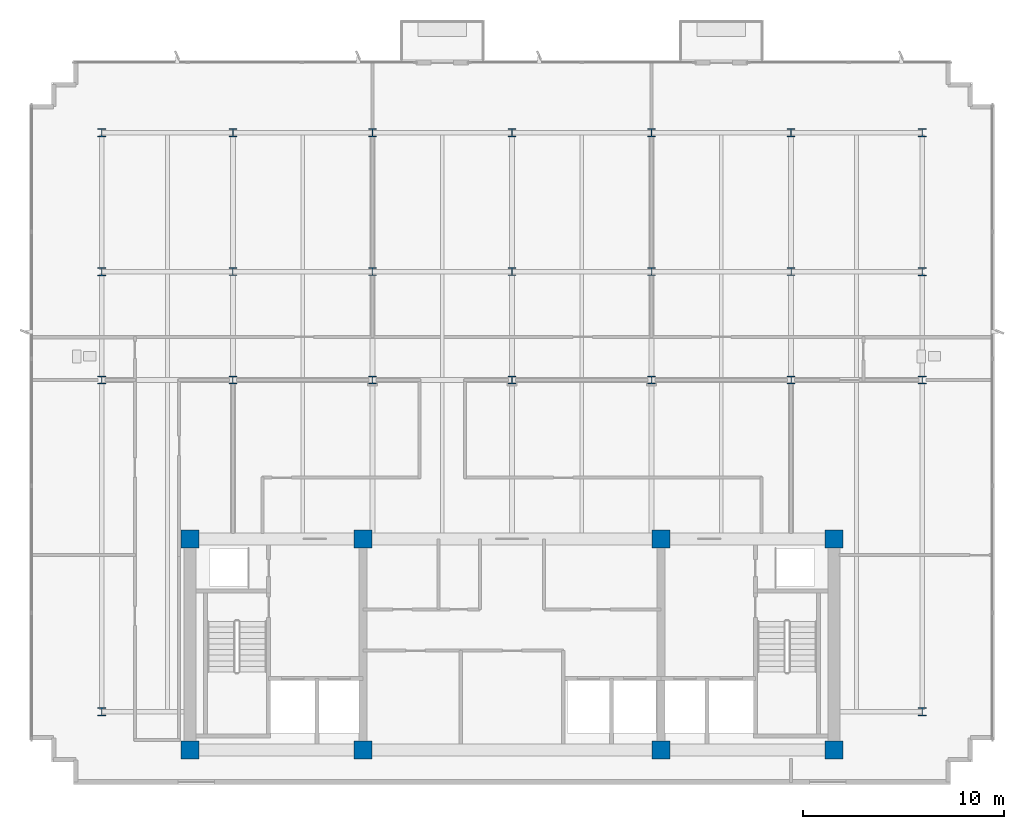
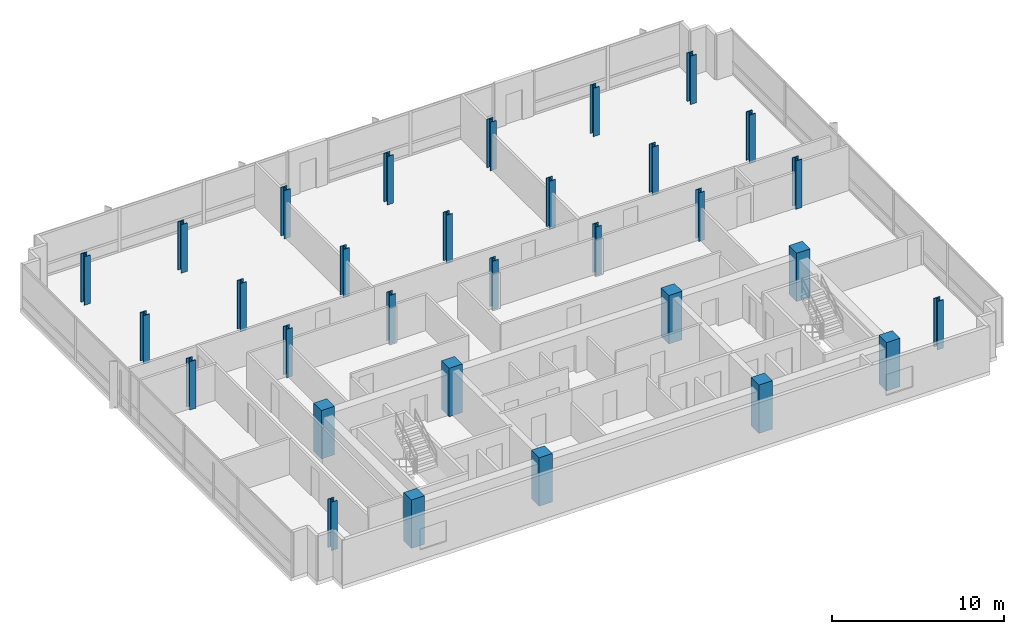
# One storey, part 1 of 13: 31 columns.
"""IFC4 building model written with IfcOpenShell, lengths in metres."""

from ifc_helpers import new_model, si_unit, direction, frame, origin, origin_2d, place, context, subcontext, project, spatial, rectangle, i_section, extrude, material, material_profile, profile_set, type_object, element, save


model = new_model("IFC4")

# Units and contexts
model_context = context("Model", 3, precision=1e-05, world=origin(), true_north=direction((0.0, 1.0)))
body_context = subcontext(model_context, "Body", "Model", "MODEL_VIEW")
ifc_project = project(units=[si_unit("LENGTHUNIT", "METRE"), si_unit("AREAUNIT", "SQUARE_METRE"), si_unit("VOLUMEUNIT", "CUBIC_METRE"), si_unit("PLANEANGLEUNIT", "RADIAN"), si_unit("MASSUNIT", "GRAM", prefix="KILO")], contexts=[model_context])

# Site, building, storey
site_placement = place(None, origin())
site = spatial("IfcSite", under=ifc_project, at=site_placement, CompositionType="ELEMENT")
building_placement = place(site_placement, origin())
building = spatial("IfcBuilding", under=site, at=building_placement, Name="Solmavex Isthmus Hotel", CompositionType="ELEMENT")
storey_placement = place(building_placement, frame((0.0, 0.0, 276.449951171875)))
storey = spatial("IfcBuildingStorey", under=building, at=storey_placement, Name="L75", CompositionType="ELEMENT", Elevation=276.449951171875)

# Columns
ifc_material_1 = material(Name="Concrete C50/60", Category="concrete")
ifc_material_profile_1 = material_profile(ifc_material_1, rectangle(XDim=0.89990234375, YDim=0.89990234375, at=origin_2d()), Name="RC900X900")
ifc_profile_set_1 = profile_set([ifc_material_profile_1], Name="Concrete C50/60")
column_type_1 = type_object("IfcColumnType", Name="COL-CC-900", PredefinedType="COLUMN", material=ifc_profile_set_1)
for number, where, z_axis, x_axis, name in (
    (1, (-16.0, -13.0, 0.0), (0.0, 0.0, 1.0), (1.0, 0.0, 0.0), "Core Pilaster CC-SW L75"),
    (2, (-7.39990234375, -13.0, 0.0), (0.0, 0.0, 1.0), (1.0, 0.0, 0.0), "Core Pilaster CC-S1 L75"),
    (3, (7.39990234375, -13.0, 0.0), (0.0, 0.0, 1.0), (1.0, 0.0, 0.0), "Core Pilaster CC-S2 L75"),
    (4, (16.0, -13.0, 0.0), (0.0, 0.0, 1.0), (1.0, 0.0, 0.0), "Core Pilaster CC-SE L75"),
    (5, (-16.0, -2.5, 0.0), (0.0, 0.0, 1.0), (1.0, 0.0, 0.0), "Core Pilaster CC-NW L75"),
    (6, (-7.39990234375, -2.5, 0.0), (0.0, 0.0, 1.0), (1.0, 0.0, 0.0), "Core Pilaster CC-N1 L75"),
    (7, (7.39990234375, -2.5, 0.0), (0.0, 0.0, 1.0), (1.0, 0.0, 0.0), "Core Pilaster CC-N2 L75"),
    (8, (16.0, -2.5, 0.0), (0.0, 0.0, 1.0), (1.0, 0.0, 0.0), "Core Pilaster CC-NE L75"),
):
    element("IfcColumn", number, at=place(storey_placement, frame(where, z_axis=z_axis, x_axis=x_axis)), inside=storey, type_object=column_type_1, Name=name, PredefinedType="COLUMN", context=body_context, shape_type="SweptSolid", body=[
        extrude(rectangle(XDim=0.89990234375, YDim=0.89990234375, at=origin_2d()), origin(), (0.0, 0.0, 1.0), 3.449951171875),
    ])
ifc_material_2 = material(Name="Steel ASTM A913 Grade 65", Category="steel")
ifc_material_profile_2 = material_profile(ifc_material_2, i_section(OverallWidth=0.4013671875, OverallDepth=0.3994140625, WebThickness=0.02490234375, FlangeThickness=0.03955078125, FilletRadius=0.030517578125, at=origin_2d()), Name="W14X211")
ifc_profile_set_2 = profile_set([ifc_material_profile_2], Name="Steel ASTM A913 Grade 65")
column_type_2 = type_object("IfcColumnType", Name="COL-SC-W14X211", PredefinedType="COLUMN", material=ifc_profile_set_2)
for number, where, z_axis, x_axis, name in (
    (9, (-13.8720703125, 5.39990234375, 0.0), (0.0, 0.0, 1.0), (1.0, 0.0, 0.0), "Tower Column B5-U2V2 L75"),
    (10, (-13.8720703125, 10.7880859375, 0.0), (0.0, 0.0, 1.0), (1.0, 0.0, 0.0), "Tower Column B5-U2V3 L75"),
    (11, (-6.93603515625, 5.39990234375, 0.0), (0.0, 0.0, 1.0), (1.0, 0.0, 0.0), "Tower Column B5-U3V2 L75"),
    (12, (-6.93603515625, 10.7880859375, 0.0), (0.0, 0.0, 1.0), (1.0, 0.0, 0.0), "Tower Column B5-U3V3 L75"),
    (13, (0.0, 5.39990234375, 0.0), (0.0, 0.0, 1.0), (1.0, 0.0, 0.0), "Tower Column B5-U4V2 L75"),
    (14, (0.0, 10.7880859375, 0.0), (0.0, 0.0, 1.0), (1.0, 0.0, 0.0), "Tower Column B5-U4V3 L75"),
    (15, (6.93603515625, 5.39990234375, 0.0), (0.0, 0.0, 1.0), (1.0, 0.0, 0.0), "Tower Column B5-U5V2 L75"),
    (16, (6.93603515625, 10.7880859375, 0.0), (0.0, 0.0, 1.0), (1.0, 0.0, 0.0), "Tower Column B5-U5V3 L75"),
    (17, (13.8720703125, 5.39990234375, 0.0), (0.0, 0.0, 1.0), (1.0, 0.0, 0.0), "Tower Column B5-U6V2 L75"),
    (18, (13.8720703125, 10.7880859375, 0.0), (0.0, 0.0, 1.0), (1.0, 0.0, 0.0), "Tower Column B5-U6V3 L75"),
):
    element("IfcColumn", number, at=place(storey_placement, frame(where, z_axis=z_axis, x_axis=x_axis)), inside=storey, type_object=column_type_2, Name=name, PredefinedType="COLUMN", context=body_context, shape_type="SweptSolid", body=[
        extrude(i_section(OverallWidth=0.4013671875, OverallDepth=0.3994140625, WebThickness=0.02490234375, FlangeThickness=0.03955078125, FilletRadius=0.030517578125, at=origin_2d()), origin(), (0.0, 0.0, 1.0), 3.449951171875),
    ])
ifc_material_profile_3 = material_profile(ifc_material_2, i_section(OverallWidth=0.40625, OverallDepth=0.416015625, WebThickness=0.02978515625, FlangeThickness=0.048095703125, FilletRadius=0.030517578125, at=origin_2d()), Name="W14X257")
ifc_profile_set_3 = profile_set([ifc_material_profile_3], Name="Steel ASTM A913 Grade 65")
column_type_3 = type_object("IfcColumnType", Name="COL-SC-W14X257", PredefinedType="COLUMN", material=ifc_profile_set_3)
for number, where, z_axis, x_axis, name in (
    (19, (-20.39990234375, -11.10009765625, 0.0), (0.0, 0.0, 1.0), (1.0, 0.0, 0.0), "Tower Column B5-U1V1 L75"),
    (20, (-20.39990234375, 5.39990234375, 0.0), (0.0, 0.0, 1.0), (1.0, 0.0, 0.0), "Tower Column B5-U1V2 L75"),
    (21, (-20.39990234375, 10.7880859375, 0.0), (0.0, 0.0, 1.0), (1.0, 0.0, 0.0), "Tower Column B5-U1V3 L75"),
    (22, (-20.39990234375, 17.699951171875, 0.0), (0.0, 0.0, 1.0), (1.0, 0.0, 0.0), "Tower Column B5-U1V4 L75"),
    (23, (-13.8720703125, 17.699951171875, 0.0), (0.0, 0.0, 1.0), (1.0, 0.0, 0.0), "Tower Column B5-U2V4 L75"),
    (24, (-6.93603515625, 17.699951171875, 0.0), (0.0, 0.0, 1.0), (1.0, 0.0, 0.0), "Tower Column B5-U3V4 L75"),
    (25, (0.0, 17.699951171875, 0.0), (0.0, 0.0, 1.0), (1.0, 0.0, 0.0), "Tower Column B5-U4V4 L75"),
    (26, (6.93603515625, 17.699951171875, 0.0), (0.0, 0.0, 1.0), (1.0, 0.0, 0.0), "Tower Column B5-U5V4 L75"),
    (27, (13.8720703125, 17.699951171875, 0.0), (0.0, 0.0, 1.0), (1.0, 0.0, 0.0), "Tower Column B5-U6V4 L75"),
    (28, (20.39990234375, -11.10009765625, 0.0), (0.0, 0.0, 1.0), (1.0, 0.0, 0.0), "Tower Column B5-U7V1 L75"),
    (29, (20.39990234375, 5.39990234375, 0.0), (0.0, 0.0, 1.0), (1.0, 0.0, 0.0), "Tower Column B5-U7V2 L75"),
    (30, (20.39990234375, 10.7880859375, 0.0), (0.0, 0.0, 1.0), (1.0, 0.0, 0.0), "Tower Column B5-U7V3 L75"),
    (31, (20.39990234375, 17.699951171875, 0.0), (0.0, 0.0, 1.0), (1.0, 0.0, 0.0), "Tower Column B5-U7V4 L75"),
):
    element("IfcColumn", number, at=place(storey_placement, frame(where, z_axis=z_axis, x_axis=x_axis)), inside=storey, type_object=column_type_3, Name=name, PredefinedType="COLUMN", context=body_context, shape_type="SweptSolid", body=[
        extrude(i_section(OverallWidth=0.40625, OverallDepth=0.416015625, WebThickness=0.02978515625, FlangeThickness=0.048095703125, FilletRadius=0.030517578125, at=origin_2d()), origin(), (0.0, 0.0, 1.0), 3.449951171875),
    ])

save(model, "model.ifc")
